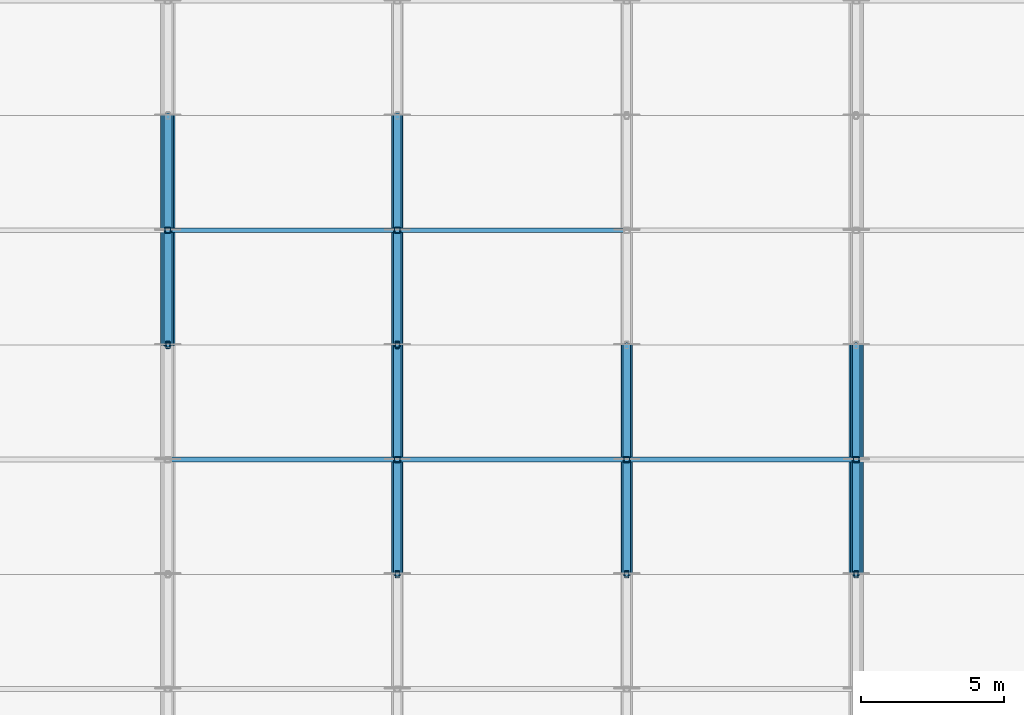
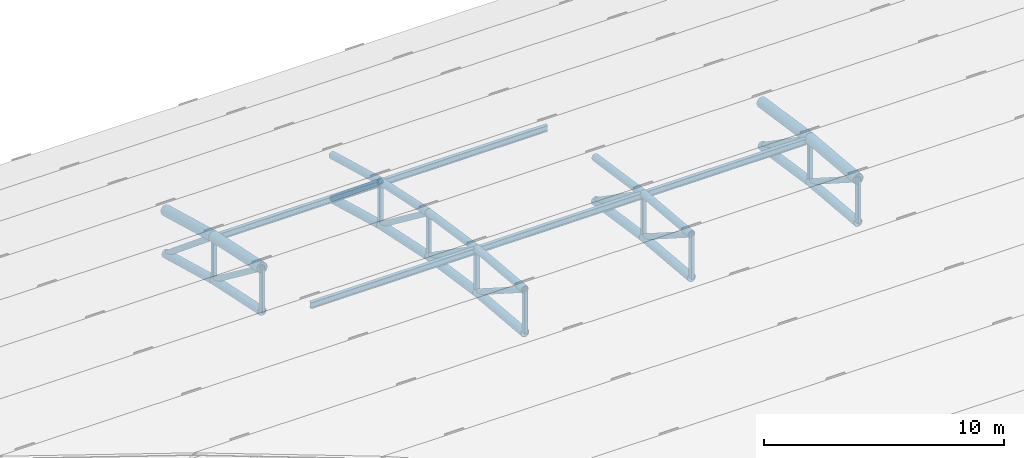
# One storey, part 35 of 98: 45 members.
"""IFC4 building model written with IfcOpenShell, lengths in metres."""

import ifcopenshell
import ifcopenshell.guid

model = None  # the IFC model being written
_history = None  # IfcOwnerHistory: only IFC2X3 demands one
_inside = {}  # id of a spatial element -> (the spatial element, [elements in it])
_under = {}  # id of a project, library or spatial element -> (it, [spatial elements below it])
_declared = {}  # id of a project -> (the project, [libraries it declares])
_typed = {}  # id of a type object -> (the type object, [elements of that type])
_made_of = {}  # id of a material, layer set ... -> (it, [elements and type objects made of it])


def new_model(schema):
    """Start an empty IFC model of exactly this schema.

    Asked for "IFC4X3", IfcOpenShell would pick the latest addendum, in which some entities
    have other attributes; the version numbers below select the first issue.
    IFC2X3 requires an IfcOwnerHistory on every rooted entity: one is made here for all.
    """
    global model, _history
    if schema == "IFC4X3":
        model = ifcopenshell.file(schema_version=(4, 3, 0, 0))
    else:
        model = ifcopenshell.file(schema=schema)
    _inside.clear()
    _under.clear()
    _declared.clear()
    _typed.clear()
    _made_of.clear()
    _history = None
    if model.schema == "IFC2X3":
        org = make("IfcOrganization", Name="unknown")
        user = make(
            "IfcPersonAndOrganization",
            ThePerson=make("IfcPerson", FamilyName="unknown"),
            TheOrganization=org,
        )
        app = make(
            "IfcApplication",
            ApplicationDeveloper=org,
            Version="unknown",
            ApplicationFullName="unknown",
            ApplicationIdentifier="unknown",
        )
        _history = make(
            "IfcOwnerHistory",
            OwningUser=user,
            OwningApplication=app,
            ChangeAction="ADDED",
            CreationDate=0,
        )
    return model


def make(cls, **values):
    """One entity of the class cls with the attributes given. An attribute that is None is left unset."""
    return model.create_entity(
        cls, **{name: value for name, value in values.items() if value is not None}
    )


def rooted(cls, **values):
    """An entity with a GlobalId (a new one), such as an element, a storey or a relation."""
    return make(cls, GlobalId=ifcopenshell.guid.new(), OwnerHistory=_history, **values)


def si_unit(unit_type, name, prefix=None):
    """IfcSIUnit, for example si_unit("LENGTHUNIT", "METRE", prefix="MILLI")."""
    return make("IfcSIUnit", UnitType=unit_type, Prefix=prefix, Name=name)


def assignment(units):
    """IfcUnitAssignment: the units of a project."""
    return None if units is None else make("IfcUnitAssignment", Units=units)


def point(xyz):
    """IfcCartesianPoint."""
    return None if xyz is None else make("IfcCartesianPoint", Coordinates=xyz)


def direction(xyz):
    """IfcDirection."""
    return None if xyz is None else make("IfcDirection", DirectionRatios=xyz)


def frame(location, z_axis=None, x_axis=None):
    """IfcAxis2Placement3D, a coordinate frame: its origin and axes. An axis left out is left unset."""
    return make(
        "IfcAxis2Placement3D",
        Location=point(location),
        Axis=direction(z_axis),
        RefDirection=direction(x_axis),
    )


def frame_2d(location, x_axis=None):
    """IfcAxis2Placement2D, a coordinate frame in the plane: its origin and x axis."""
    return make(
        "IfcAxis2Placement2D", Location=point(location), RefDirection=direction(x_axis)
    )


def origin():
    """The frame at (0, 0, 0) with its axes left unset."""
    return frame((0.0, 0.0, 0.0))


def origin_2d():
    """The frame at (0, 0) in the plane with its x axis left unset."""
    return frame_2d((0.0, 0.0))


def place(relative_to, where):
    """IfcLocalPlacement: puts the frame where relative to a parent placement (None: the world)."""
    return make(
        "IfcLocalPlacement", PlacementRelTo=relative_to, RelativePlacement=where
    )


def context(
    kind, dimensions, precision=None, world=None, true_north=None, identifier=None
):
    """IfcGeometricRepresentationContext, for example the 3D "Model" context."""
    return make(
        "IfcGeometricRepresentationContext",
        ContextIdentifier=identifier,
        ContextType=kind,
        CoordinateSpaceDimension=dimensions,
        Precision=precision,
        WorldCoordinateSystem=world,
        TrueNorth=true_north,
    )


def subcontext(parent, identifier, kind, view, scale=None):
    """IfcGeometricRepresentationSubContext, for example "Body" below "Model"."""
    return make(
        "IfcGeometricRepresentationSubContext",
        ContextIdentifier=identifier,
        ContextType=kind,
        ParentContext=parent,
        TargetScale=scale,
        TargetView=view,
    )


def project(units=None, contexts=None):
    """IfcProject with its units and contexts."""
    return rooted(
        "IfcProject",
        Name="project",
        RepresentationContexts=contexts,
        UnitsInContext=assignment(units),
    )


def spatial(cls, under=None, at=None, **own):
    """A site, building, storey or space (cls), placed at a placement, below another one or the project."""
    s = rooted(cls, ObjectPlacement=at, **own)
    if under is not None:
        _under.setdefault(under.id(), (under, []))[1].append(s)
    return s


def profile(cls, at=None, kind="AREA", **sizes):
    """A parametric profile (cls). Its sizes go by their IFC names, for example OverallWidth=200.0."""
    return make(cls, ProfileType=kind, Position=at, **sizes)


def hollow_rectangle(**sizes):
    """IfcRectangleHollowProfileDef."""
    return profile("IfcRectangleHollowProfileDef", **sizes)


def hollow_circle(**sizes):
    """IfcCircleHollowProfileDef."""
    return profile("IfcCircleHollowProfileDef", **sizes)


def i_section(**sizes):
    """IfcIShapeProfileDef."""
    return profile("IfcIShapeProfileDef", **sizes)


def extrude(swept, where, along, depth):
    """IfcExtrudedAreaSolid: the profile swept, set in the frame where, extruded along a direction by depth."""
    return make(
        "IfcExtrudedAreaSolid",
        SweptArea=swept,
        Position=where,
        ExtrudedDirection=direction(along),
        Depth=depth,
    )


def shape(context_of_items, identifier, shape_type, items):
    """IfcShapeRepresentation: the items that make up one representation, for example the "Body"."""
    return make(
        "IfcShapeRepresentation",
        ContextOfItems=context_of_items,
        RepresentationIdentifier=identifier,
        RepresentationType=shape_type,
        Items=items,
    )


def material(Name=None, Category=None):
    """IfcMaterial."""
    return make("IfcMaterial", Name=Name, Category=Category)


def material_profile(
    of_material, cross_section, Name=None, Category=None, Priority=None
):
    """IfcMaterialProfile: a cross section and its material."""
    return make(
        "IfcMaterialProfile",
        Name=Name,
        Material=of_material,
        Profile=cross_section,
        Priority=Priority,
        Category=Category,
    )


def profile_set(profiles, Name=None, composite=None):
    """IfcMaterialProfileSet."""
    return make(
        "IfcMaterialProfileSet",
        Name=Name,
        MaterialProfiles=profiles,
        CompositeProfile=composite,
    )


def made_of(thing, what):
    """Note that an element or type object is made of a material, layer set ...; save() writes the relation."""
    if what is not None:
        _made_of.setdefault(what.id(), (what, []))[1].append(thing)
    return thing


def type_object(cls, material=None, **own):
    """A type object (cls), such as IfcWallType, which elements share."""
    return made_of(rooted(cls, **own), material)


def element(
    cls,
    number,
    at=None,
    inside=None,
    cuts=None,
    type_object=None,
    material=None,
    context=None,
    identifier="Body",
    shape_type=None,
    held_by="IfcProductDefinitionShape",
    body=None,
    shapes=None,
    **own,
):
    """One element of the class cls, such as IfcWall. Its Tag is "e" and its number.

    at: its placement. inside: the storey or other place that contains it. cuts: it is an
    opening in that element (IfcRelVoidsElement). A single representation is given by context,
    identifier, shape_type and body (its items); several are given by shapes. held_by: the class
    of the entity that holds the representations. save() writes the other relations.
    """
    e = rooted(cls, Tag="e%d" % number, ObjectPlacement=at, **own)
    if body is not None:
        shapes = [shape(context, identifier, shape_type, body)]
    if shapes is not None:
        e.Representation = make(held_by, Representations=shapes)
    if inside is not None:
        _inside.setdefault(inside.id(), (inside, []))[1].append(e)
    if cuts is not None:
        rooted(
            "IfcRelVoidsElement", RelatingBuildingElement=cuts, RelatedOpeningElement=e
        )
    if type_object is not None:
        _typed.setdefault(type_object.id(), (type_object, []))[1].append(e)
    return made_of(e, material)


def aggregate(whole, parts):
    """IfcRelAggregates: a whole, such as a stair, and the parts it consists of."""
    return rooted("IfcRelAggregates", RelatingObject=whole, RelatedObjects=parts)


def save(model, path):
    """Write the relations noted so far, then the file.

    IfcRelAggregates (storeys below a building ...), IfcRelContainedInSpatialStructure (elements
    in a storey), IfcRelDefinesByType, IfcRelAssociatesMaterial and IfcRelDeclares: one each for
    every whole, place, type object, material and project.
    """
    for whole, parts in _under.values():
        aggregate(whole, parts)
    for where, things in _inside.values():
        rooted(
            "IfcRelContainedInSpatialStructure",
            RelatedElements=things,
            RelatingStructure=where,
        )
    for kind, things in _typed.values():
        rooted("IfcRelDefinesByType", RelatedObjects=things, RelatingType=kind)
    for what, things in _made_of.values():
        rooted("IfcRelAssociatesMaterial", RelatedObjects=things, RelatingMaterial=what)
    for by, libraries in _declared.values():
        rooted("IfcRelDeclares", RelatingContext=by, RelatedDefinitions=libraries)
    model.write(path)


model = new_model("IFC4")

# Units and contexts
model_context = context("Model", 3, precision=1e-05, world=origin(), true_north=direction((0.0, 1.0)))
body_context = subcontext(model_context, "Body", "Model", "MODEL_VIEW")
ifc_project = project(units=[si_unit("LENGTHUNIT", "METRE"), si_unit("AREAUNIT", "SQUARE_METRE"), si_unit("VOLUMEUNIT", "CUBIC_METRE"), si_unit("PLANEANGLEUNIT", "RADIAN"), si_unit("MASSUNIT", "GRAM", prefix="KILO")], contexts=[model_context])

# Site, building, storey
site_placement = place(None, origin())
site = spatial("IfcSite", under=ifc_project, at=site_placement, CompositionType="ELEMENT")
building_placement = place(site_placement, origin())
building = spatial("IfcBuilding", under=site, at=building_placement, Name="Tlacozan Convention Centre", CompositionType="ELEMENT")
storey_placement = place(building_placement, frame((0.0, 0.0, 25.800048828125)))
storey = spatial("IfcBuildingStorey", under=building, at=storey_placement, Name="Roof", CompositionType="ELEMENT", Elevation=25.800048828125)

# Members
ifc_material_1 = material(Name="Steel ASTM A500 Grade C", Category="steel")
ifc_material_profile_1 = material_profile(ifc_material_1, hollow_circle(Radius=0.203125, WallThickness=0.015869140625, at=origin_2d()), Name="OC 406.4x15.9")
ifc_profile_set_1 = profile_set([ifc_material_profile_1], Name="Steel ASTM A500 Grade C")
member_type_1 = type_object("IfcMemberType", Name="Arch Bottom Chord OC 406.4x15.9", PredefinedType="CHORD", material=ifc_profile_set_1)
member_1_placement = place(storey_placement, frame((96.0, 106.0, -5.8671875), z_axis=(0.0, 0.978552953366, -0.205995430674), x_axis=(-1.0, 0.0, 0.0)))
element("IfcMember", 1, at=member_1_placement, inside=storey, type_object=member_type_1, Name="V2A Roof Truss 13 Bottom Chord 12", PredefinedType="CHORD", context=body_context, shape_type="SweptSolid", body=[
    extrude(hollow_circle(Radius=0.203125, WallThickness=0.015869140625, at=origin_2d()), origin(), (0.0, 0.0, 1.0), 4.087646484375),
])
member_2_placement = place(storey_placement, frame((96.0, 110.0, -6.709228515625), z_axis=(0.0, 0.964289609145, -0.26485005134), x_axis=(-1.0, 0.0, 0.0)))
element("IfcMember", 2, at=member_2_placement, inside=storey, type_object=member_type_1, Name="V2A Roof Truss 13 Bottom Chord 13", PredefinedType="CHORD", context=body_context, shape_type="SweptSolid", body=[
    extrude(hollow_circle(Radius=0.203125, WallThickness=0.015869140625, at=origin_2d()), origin(), (0.0, 0.0, 1.0), 4.148193359375),
])
member_3_placement = place(storey_placement, frame((104.0, 98.0, -4.917724609375), z_axis=(0.0, 0.996095959668, -0.088277058926), x_axis=(-1.0, 0.0, 0.0)))
element("IfcMember", 3, at=member_3_placement, inside=storey, type_object=member_type_1, Name="V2A Roof Truss 14 Bottom Chord 10", PredefinedType="CHORD", context=body_context, shape_type="SweptSolid", body=[
    extrude(hollow_circle(Radius=0.203125, WallThickness=0.015869140625, at=origin_2d()), origin(), (0.0, 0.0, 1.0), 4.015625),
])
member_4_placement = place(storey_placement, frame((104.0, 102.0, -5.272216796875), z_axis=(0.0, 0.98911804631, -0.147124064872), x_axis=(-1.0, 0.0, 0.0)))
element("IfcMember", 4, at=member_4_placement, inside=storey, type_object=member_type_1, Name="V2A Roof Truss 14 Bottom Chord 11", PredefinedType="CHORD", context=body_context, shape_type="SweptSolid", body=[
    extrude(hollow_circle(Radius=0.203125, WallThickness=0.015869140625, at=origin_2d()), origin(), (0.0, 0.0, 1.0), 4.0439453125),
])
member_5_placement = place(storey_placement, frame((104.0, 106.0, -5.8671875), z_axis=(0.0, 0.978552953366, -0.205995430674), x_axis=(-1.0, 0.0, 0.0)))
element("IfcMember", 5, at=member_5_placement, inside=storey, type_object=member_type_1, Name="V2A Roof Truss 14 Bottom Chord 12", PredefinedType="CHORD", context=body_context, shape_type="SweptSolid", body=[
    extrude(hollow_circle(Radius=0.203125, WallThickness=0.015869140625, at=origin_2d()), origin(), (0.0, 0.0, 1.0), 4.087646484375),
])
member_6_placement = place(storey_placement, frame((104.0, 110.0, -6.709228515625), z_axis=(0.0, 0.964289609145, -0.26485005134), x_axis=(-1.0, 0.0, 0.0)))
element("IfcMember", 6, at=member_6_placement, inside=storey, type_object=member_type_1, Name="V2A Roof Truss 14 Bottom Chord 13", PredefinedType="CHORD", context=body_context, shape_type="SweptSolid", body=[
    extrude(hollow_circle(Radius=0.203125, WallThickness=0.015869140625, at=origin_2d()), origin(), (0.0, 0.0, 1.0), 4.148193359375),
])
member_7_placement = place(storey_placement, frame((112.0, 98.0, -4.917724609375), z_axis=(0.0, 0.996095959668, -0.088277058926), x_axis=(-1.0, 0.0, 0.0)))
element("IfcMember", 7, at=member_7_placement, inside=storey, type_object=member_type_1, Name="V2A Roof Truss 15 Bottom Chord 10", PredefinedType="CHORD", context=body_context, shape_type="SweptSolid", body=[
    extrude(hollow_circle(Radius=0.203125, WallThickness=0.015869140625, at=origin_2d()), origin(), (0.0, 0.0, 1.0), 4.015625),
])
member_8_placement = place(storey_placement, frame((112.0, 102.0, -5.272216796875), z_axis=(0.0, 0.98911804631, -0.147124064872), x_axis=(-1.0, 0.0, 0.0)))
element("IfcMember", 8, at=member_8_placement, inside=storey, type_object=member_type_1, Name="V2A Roof Truss 15 Bottom Chord 11", PredefinedType="CHORD", context=body_context, shape_type="SweptSolid", body=[
    extrude(hollow_circle(Radius=0.203125, WallThickness=0.015869140625, at=origin_2d()), origin(), (0.0, 0.0, 1.0), 4.0439453125),
])
member_9_placement = place(storey_placement, frame((120.0, 98.0, -4.917724609375), z_axis=(0.0, 0.996095959668, -0.088277058926), x_axis=(-1.0, 0.0, 0.0)))
element("IfcMember", 9, at=member_9_placement, inside=storey, type_object=member_type_1, Name="V2A Roof Truss 16 Bottom Chord 10", PredefinedType="CHORD", context=body_context, shape_type="SweptSolid", body=[
    extrude(hollow_circle(Radius=0.203125, WallThickness=0.015869140625, at=origin_2d()), origin(), (0.0, 0.0, 1.0), 4.015625),
])
member_10_placement = place(storey_placement, frame((120.0, 102.0, -5.272216796875), z_axis=(0.0, 0.98911804631, -0.147124064872), x_axis=(-1.0, 0.0, 0.0)))
element("IfcMember", 10, at=member_10_placement, inside=storey, type_object=member_type_1, Name="V2A Roof Truss 16 Bottom Chord 11", PredefinedType="CHORD", context=body_context, shape_type="SweptSolid", body=[
    extrude(hollow_circle(Radius=0.203125, WallThickness=0.015869140625, at=origin_2d()), origin(), (0.0, 0.0, 1.0), 4.0439453125),
])
ifc_material_profile_2 = material_profile(ifc_material_1, hollow_circle(Radius=0.25390625, WallThickness=0.01904296875, at=origin_2d()), Name="OC 508.0x19.1")
ifc_profile_set_2 = profile_set([ifc_material_profile_2], Name="Steel ASTM A500 Grade C")
member_type_2 = type_object("IfcMemberType", Name="Arch Top Chord OC 508x19.1", PredefinedType="CHORD", material=ifc_profile_set_2)
member_11_placement = place(storey_placement, frame((96.0, 106.0, -3.667236328125), z_axis=(0.0, 0.978552953366, -0.205995430674), x_axis=(-1.0, 0.0, 0.0)))
element("IfcMember", 11, at=member_11_placement, inside=storey, type_object=member_type_2, Name="V2A Roof Truss 13 Top Chord 12", PredefinedType="CHORD", context=body_context, shape_type="SweptSolid", body=[
    extrude(hollow_circle(Radius=0.25390625, WallThickness=0.01904296875, at=origin_2d()), origin(), (0.0, 0.0, 1.0), 4.087646484375),
])
member_12_placement = place(storey_placement, frame((96.0, 110.0, -4.50927734375), z_axis=(0.0, 0.964304639076, -0.264795322949), x_axis=(-1.0, 0.0, 0.0)))
element("IfcMember", 12, at=member_12_placement, inside=storey, type_object=member_type_2, Name="V2A Roof Truss 13 Top Chord 13", PredefinedType="CHORD", context=body_context, shape_type="SweptSolid", body=[
    extrude(hollow_circle(Radius=0.25390625, WallThickness=0.01904296875, at=origin_2d()), origin(), (0.0, 0.0, 1.0), 4.14794921875),
])
member_13_placement = place(storey_placement, frame((120.0, 98.0, -2.7177734375), z_axis=(0.0, 0.996095959668, -0.088277058926), x_axis=(-1.0, 0.0, 0.0)))
element("IfcMember", 13, at=member_13_placement, inside=storey, type_object=member_type_2, Name="V2A Roof Truss 16 Top Chord 10", PredefinedType="CHORD", context=body_context, shape_type="SweptSolid", body=[
    extrude(hollow_circle(Radius=0.25390625, WallThickness=0.01904296875, at=origin_2d()), origin(), (0.0, 0.0, 1.0), 4.015625),
])
member_14_placement = place(storey_placement, frame((120.0, 102.0, -3.072265625), z_axis=(0.0, 0.98911804631, -0.147124064872), x_axis=(-1.0, 0.0, 0.0)))
element("IfcMember", 14, at=member_14_placement, inside=storey, type_object=member_type_2, Name="V2A Roof Truss 16 Top Chord 11", PredefinedType="CHORD", context=body_context, shape_type="SweptSolid", body=[
    extrude(hollow_circle(Radius=0.25390625, WallThickness=0.01904296875, at=origin_2d()), origin(), (0.0, 0.0, 1.0), 4.0439453125),
])
ifc_material_profile_3 = material_profile(ifc_material_1, hollow_circle(Radius=0.136474609375, WallThickness=0.0126953125, at=origin_2d()), Name="OC 273.1x12.7")
ifc_profile_set_3 = profile_set([ifc_material_profile_3], Name="Steel ASTM A500 Grade C")
member_type_3 = type_object("IfcMemberType", Name="Arch Web Diagonal OC 273.1x12.7", PredefinedType="BRACE", material=ifc_profile_set_3)
member_15_placement = place(storey_placement, frame((96.0, 106.0, -3.667236328125), z_axis=(0.0, 0.795971176065, -0.605334524766), x_axis=(-1.0, 0.0, 0.0)))
element("IfcMember", 15, at=member_15_placement, inside=storey, type_object=member_type_3, Name="V2A Roof Truss 13 Web Diagonal 12", PredefinedType="BRACE", context=body_context, shape_type="SweptSolid", body=[
    extrude(hollow_circle(Radius=0.136474609375, WallThickness=0.0126953125, at=origin_2d()), origin(), (0.0, 0.0, 1.0), 5.025390625),
])
member_16_placement = place(storey_placement, frame((96.0, 110.0, -4.50927734375), z_axis=(0.0, 0.771507331308, -0.63622043172), x_axis=(-1.0, 0.0, 0.0)))
element("IfcMember", 16, at=member_16_placement, inside=storey, type_object=member_type_3, Name="V2A Roof Truss 13 Web Diagonal 13", PredefinedType="BRACE", context=body_context, shape_type="SweptSolid", body=[
    extrude(hollow_circle(Radius=0.136474609375, WallThickness=0.0126953125, at=origin_2d()), origin(), (0.0, 0.0, 1.0), 5.1845703125),
])
member_17_placement = place(storey_placement, frame((104.0, 98.0, -2.7177734375), z_axis=(0.0, 0.842802563321, -0.538222852785), x_axis=(-1.0, 0.0, 0.0)))
element("IfcMember", 17, at=member_17_placement, inside=storey, type_object=member_type_3, Name="V2A Roof Truss 14 Web Diagonal 10", PredefinedType="BRACE", context=body_context, shape_type="SweptSolid", body=[
    extrude(hollow_circle(Radius=0.136474609375, WallThickness=0.0126953125, at=origin_2d()), origin(), (0.0, 0.0, 1.0), 4.74609375),
])
member_18_placement = place(storey_placement, frame((104.0, 102.0, -3.072265625), z_axis=(0.0, 0.819720523855, -0.572763705877), x_axis=(-1.0, 0.0, 0.0)))
element("IfcMember", 18, at=member_18_placement, inside=storey, type_object=member_type_3, Name="V2A Roof Truss 14 Web Diagonal 11", PredefinedType="BRACE", context=body_context, shape_type="SweptSolid", body=[
    extrude(hollow_circle(Radius=0.136474609375, WallThickness=0.0126953125, at=origin_2d()), origin(), (0.0, 0.0, 1.0), 4.879638671875),
])
member_19_placement = place(storey_placement, frame((104.0, 106.0, -3.667236328125), z_axis=(0.0, 0.795971176065, -0.605334524766), x_axis=(-1.0, 0.0, 0.0)))
element("IfcMember", 19, at=member_19_placement, inside=storey, type_object=member_type_3, Name="V2A Roof Truss 14 Web Diagonal 12", PredefinedType="BRACE", context=body_context, shape_type="SweptSolid", body=[
    extrude(hollow_circle(Radius=0.136474609375, WallThickness=0.0126953125, at=origin_2d()), origin(), (0.0, 0.0, 1.0), 5.025390625),
])
member_20_placement = place(storey_placement, frame((104.0, 110.0, -4.50927734375), z_axis=(0.0, 0.771507331308, -0.63622043172), x_axis=(-1.0, 0.0, 0.0)))
element("IfcMember", 20, at=member_20_placement, inside=storey, type_object=member_type_3, Name="V2A Roof Truss 14 Web Diagonal 13", PredefinedType="BRACE", context=body_context, shape_type="SweptSolid", body=[
    extrude(hollow_circle(Radius=0.136474609375, WallThickness=0.0126953125, at=origin_2d()), origin(), (0.0, 0.0, 1.0), 5.1845703125),
])
member_21_placement = place(storey_placement, frame((112.0, 98.0, -2.7177734375), z_axis=(0.0, 0.842802563321, -0.538222852785), x_axis=(-1.0, 0.0, 0.0)))
element("IfcMember", 21, at=member_21_placement, inside=storey, type_object=member_type_3, Name="V2A Roof Truss 15 Web Diagonal 10", PredefinedType="BRACE", context=body_context, shape_type="SweptSolid", body=[
    extrude(hollow_circle(Radius=0.136474609375, WallThickness=0.0126953125, at=origin_2d()), origin(), (0.0, 0.0, 1.0), 4.74609375),
])
member_22_placement = place(storey_placement, frame((112.0, 102.0, -3.072265625), z_axis=(0.0, 0.819720523855, -0.572763705877), x_axis=(-1.0, 0.0, 0.0)))
element("IfcMember", 22, at=member_22_placement, inside=storey, type_object=member_type_3, Name="V2A Roof Truss 15 Web Diagonal 11", PredefinedType="BRACE", context=body_context, shape_type="SweptSolid", body=[
    extrude(hollow_circle(Radius=0.136474609375, WallThickness=0.0126953125, at=origin_2d()), origin(), (0.0, 0.0, 1.0), 4.879638671875),
])
member_23_placement = place(storey_placement, frame((120.0, 98.0, -2.7177734375), z_axis=(0.0, 0.842802563321, -0.538222852785), x_axis=(-1.0, 0.0, 0.0)))
element("IfcMember", 23, at=member_23_placement, inside=storey, type_object=member_type_3, Name="V2A Roof Truss 16 Web Diagonal 10", PredefinedType="BRACE", context=body_context, shape_type="SweptSolid", body=[
    extrude(hollow_circle(Radius=0.136474609375, WallThickness=0.0126953125, at=origin_2d()), origin(), (0.0, 0.0, 1.0), 4.74609375),
])
member_24_placement = place(storey_placement, frame((120.0, 102.0, -3.072265625), z_axis=(0.0, 0.819720523855, -0.572763705877), x_axis=(-1.0, 0.0, 0.0)))
element("IfcMember", 24, at=member_24_placement, inside=storey, type_object=member_type_3, Name="V2A Roof Truss 16 Web Diagonal 11", PredefinedType="BRACE", context=body_context, shape_type="SweptSolid", body=[
    extrude(hollow_circle(Radius=0.136474609375, WallThickness=0.0126953125, at=origin_2d()), origin(), (0.0, 0.0, 1.0), 4.879638671875),
])
ifc_material_profile_4 = material_profile(ifc_material_1, hollow_rectangle(XDim=0.203125, YDim=0.203125, WallThickness=0.0126953125, InnerFilletRadius=0.0126953125, OuterFilletRadius=0.02490234375, at=origin_2d()), Name="OR 203x203x12.7")
ifc_profile_set_4 = profile_set([ifc_material_profile_4], Name="Steel ASTM A500 Grade C")
member_type_4 = type_object("IfcMemberType", Name="Arch Web Strut OR 203x203x12.7", PredefinedType="STRUT", material=ifc_profile_set_4)
for number, where, z_axis, x_axis, name in (
    (25, (96.0, 110.0, -6.709228515625), (0.0, 0.0, 1.0), (1.0, 0.0, 0.0), "V2A Roof Truss 13 Vertical Strut 13"),
    (26, (104.0, 102.0, -5.272216796875), (0.0, 0.0, 1.0), (1.0, 0.0, 0.0), "V2A Roof Truss 14 Vertical Strut 11"),
    (27, (104.0, 110.0, -6.709228515625), (0.0, 0.0, 1.0), (1.0, 0.0, 0.0), "V2A Roof Truss 14 Vertical Strut 13"),
    (28, (112.0, 102.0, -5.272216796875), (0.0, 0.0, 1.0), (1.0, 0.0, 0.0), "V2A Roof Truss 15 Vertical Strut 11"),
    (29, (120.0, 102.0, -5.272216796875), (0.0, 0.0, 1.0), (1.0, 0.0, 0.0), "V2A Roof Truss 16 Vertical Strut 11"),
):
    element("IfcMember", number, at=place(storey_placement, frame(where, z_axis=z_axis, x_axis=x_axis)), inside=storey, type_object=member_type_4, Name=name, PredefinedType="STRUT", context=body_context, shape_type="SweptSolid", body=[
        extrude(hollow_rectangle(XDim=0.203125, YDim=0.203125, WallThickness=0.0126953125, InnerFilletRadius=0.0126953125, OuterFilletRadius=0.02490234375, at=origin_2d()), origin(), (0.0, 0.0, 1.0), 2.199951171875),
    ])
ifc_material_2 = material(Name="Steel ASTM A992 Grade 50", Category="steel")
ifc_material_profile_5 = material_profile(ifc_material_2, i_section(OverallWidth=0.1669921875, OverallDepth=0.31689453125, WebThickness=0.007568359375, FlangeThickness=0.01318359375, FilletRadius=0.010009765625, at=origin_2d()), Name="IR 305x52.2")
ifc_profile_set_5 = profile_set([ifc_material_profile_5], Name="Steel ASTM A992 Grade 50")
member_type_5 = type_object("IfcMemberType", Name="Roof Purlin IR 305x52.2", PredefinedType="PURLIN", material=ifc_profile_set_5)
for number, where, z_axis, x_axis, name in (
    (30, (96.0, 102.0, -3.13720703125), (1.0, 0.0, 0.0), (0.0, 1.0, 0.0), "V2A Roof Truss Purlin 13.11"),
    (31, (96.0, 110.0, -4.57421875), (1.0, 0.0, 0.0), (0.0, 1.0, 0.0), "V2A Roof Truss Purlin 13.13"),
    (32, (104.0, 102.0, -3.13720703125), (1.0, 0.0, 0.0), (0.0, 1.0, 0.0), "V2A Roof Truss Purlin 14.11"),
    (33, (104.0, 110.0, -4.57421875), (1.0, 0.0, 0.0), (0.0, 1.0, 0.0), "V2A Roof Truss Purlin 14.13"),
    (34, (112.0, 102.0, -3.13720703125), (1.0, 0.0, 0.0), (0.0, 1.0, 0.0), "V2A Roof Truss Purlin 15.11"),
):
    element("IfcMember", number, at=place(storey_placement, frame(where, z_axis=z_axis, x_axis=x_axis)), inside=storey, type_object=member_type_5, Name=name, PredefinedType="PURLIN", context=body_context, shape_type="SweptSolid", body=[
        extrude(i_section(OverallWidth=0.1669921875, OverallDepth=0.31689453125, WebThickness=0.007568359375, FlangeThickness=0.01318359375, FilletRadius=0.010009765625, at=origin_2d()), origin(), (0.0, 0.0, 1.0), 8.0),
    ])
ifc_material_profile_6 = material_profile(ifc_material_1, hollow_circle(Radius=0.177734375, WallThickness=0.015869140625, at=origin_2d()), Name="OC 355.6x15.9")
ifc_profile_set_6 = profile_set([ifc_material_profile_6], Name="Steel ASTM A500 Grade C")
member_type_6 = type_object("IfcMemberType", Name="Secondary Arch Chord OC 355.6x15.9", PredefinedType="CHORD", material=ifc_profile_set_6)
member_25_placement = place(storey_placement, frame((104.0, 98.0, -2.7177734375), z_axis=(0.0, 0.996095959668, -0.088277058926), x_axis=(-1.0, 0.0, 0.0)))
element("IfcMember", 35, at=member_25_placement, inside=storey, type_object=member_type_6, Name="V2A Roof Truss 14 Top Chord 10", PredefinedType="CHORD", context=body_context, shape_type="SweptSolid", body=[
    extrude(hollow_circle(Radius=0.177734375, WallThickness=0.015869140625, at=origin_2d()), origin(), (0.0, 0.0, 1.0), 4.015625),
])
member_26_placement = place(storey_placement, frame((104.0, 102.0, -3.072265625), z_axis=(0.0, 0.98911804631, -0.147124064872), x_axis=(-1.0, 0.0, 0.0)))
element("IfcMember", 36, at=member_26_placement, inside=storey, type_object=member_type_6, Name="V2A Roof Truss 14 Top Chord 11", PredefinedType="CHORD", context=body_context, shape_type="SweptSolid", body=[
    extrude(hollow_circle(Radius=0.177734375, WallThickness=0.015869140625, at=origin_2d()), origin(), (0.0, 0.0, 1.0), 4.0439453125),
])
member_27_placement = place(storey_placement, frame((104.0, 106.0, -3.667236328125), z_axis=(0.0, 0.978552953366, -0.205995430674), x_axis=(-1.0, 0.0, 0.0)))
element("IfcMember", 37, at=member_27_placement, inside=storey, type_object=member_type_6, Name="V2A Roof Truss 14 Top Chord 12", PredefinedType="CHORD", context=body_context, shape_type="SweptSolid", body=[
    extrude(hollow_circle(Radius=0.177734375, WallThickness=0.015869140625, at=origin_2d()), origin(), (0.0, 0.0, 1.0), 4.087646484375),
])
member_28_placement = place(storey_placement, frame((104.0, 110.0, -4.50927734375), z_axis=(0.0, 0.964304639076, -0.264795322949), x_axis=(-1.0, 0.0, 0.0)))
element("IfcMember", 38, at=member_28_placement, inside=storey, type_object=member_type_6, Name="V2A Roof Truss 14 Top Chord 13", PredefinedType="CHORD", context=body_context, shape_type="SweptSolid", body=[
    extrude(hollow_circle(Radius=0.177734375, WallThickness=0.015869140625, at=origin_2d()), origin(), (0.0, 0.0, 1.0), 4.14794921875),
])
member_29_placement = place(storey_placement, frame((112.0, 98.0, -2.7177734375), z_axis=(0.0, 0.996095959668, -0.088277058926), x_axis=(-1.0, 0.0, 0.0)))
element("IfcMember", 39, at=member_29_placement, inside=storey, type_object=member_type_6, Name="V2A Roof Truss 15 Top Chord 10", PredefinedType="CHORD", context=body_context, shape_type="SweptSolid", body=[
    extrude(hollow_circle(Radius=0.177734375, WallThickness=0.015869140625, at=origin_2d()), origin(), (0.0, 0.0, 1.0), 4.015625),
])
member_30_placement = place(storey_placement, frame((112.0, 102.0, -3.072265625), z_axis=(0.0, 0.98911804631, -0.147124064872), x_axis=(-1.0, 0.0, 0.0)))
element("IfcMember", 40, at=member_30_placement, inside=storey, type_object=member_type_6, Name="V2A Roof Truss 15 Top Chord 11", PredefinedType="CHORD", context=body_context, shape_type="SweptSolid", body=[
    extrude(hollow_circle(Radius=0.177734375, WallThickness=0.015869140625, at=origin_2d()), origin(), (0.0, 0.0, 1.0), 4.0439453125),
])
ifc_material_profile_7 = material_profile(ifc_material_1, hollow_rectangle(XDim=0.15234375, YDim=0.25390625, WallThickness=0.0126953125, InnerFilletRadius=0.0126953125, OuterFilletRadius=0.02490234375, at=origin_2d()), Name="OR 254x152x12.7")
ifc_profile_set_7 = profile_set([ifc_material_profile_7], Name="Steel ASTM A500 Grade C")
member_type_7 = type_object("IfcMemberType", Name="Truss Secondary Strut OR 254x152x12.7", PredefinedType="STRUT", material=ifc_profile_set_7)
for number, where, z_axis, x_axis, name in (
    (41, (96.0, 106.0, -5.8671875), (0.0, 0.0, 1.0), (1.0, 0.0, 0.0), "V2A Roof Truss 13 Vertical Strut 12"),
    (42, (104.0, 98.0, -4.917724609375), (0.0, 0.0, 1.0), (1.0, 0.0, 0.0), "V2A Roof Truss 14 Vertical Strut 10"),
    (43, (104.0, 106.0, -5.8671875), (0.0, 0.0, 1.0), (1.0, 0.0, 0.0), "V2A Roof Truss 14 Vertical Strut 12"),
    (44, (112.0, 98.0, -4.917724609375), (0.0, 0.0, 1.0), (1.0, 0.0, 0.0), "V2A Roof Truss 15 Vertical Strut 10"),
    (45, (120.0, 98.0, -4.917724609375), (0.0, 0.0, 1.0), (1.0, 0.0, 0.0), "V2A Roof Truss 16 Vertical Strut 10"),
):
    element("IfcMember", number, at=place(storey_placement, frame(where, z_axis=z_axis, x_axis=x_axis)), inside=storey, type_object=member_type_7, Name=name, PredefinedType="STRUT", context=body_context, shape_type="SweptSolid", body=[
        extrude(hollow_rectangle(XDim=0.15234375, YDim=0.25390625, WallThickness=0.0126953125, InnerFilletRadius=0.0126953125, OuterFilletRadius=0.02490234375, at=origin_2d()), origin(), (0.0, 0.0, 1.0), 2.199951171875),
    ])

save(model, "model.ifc")
